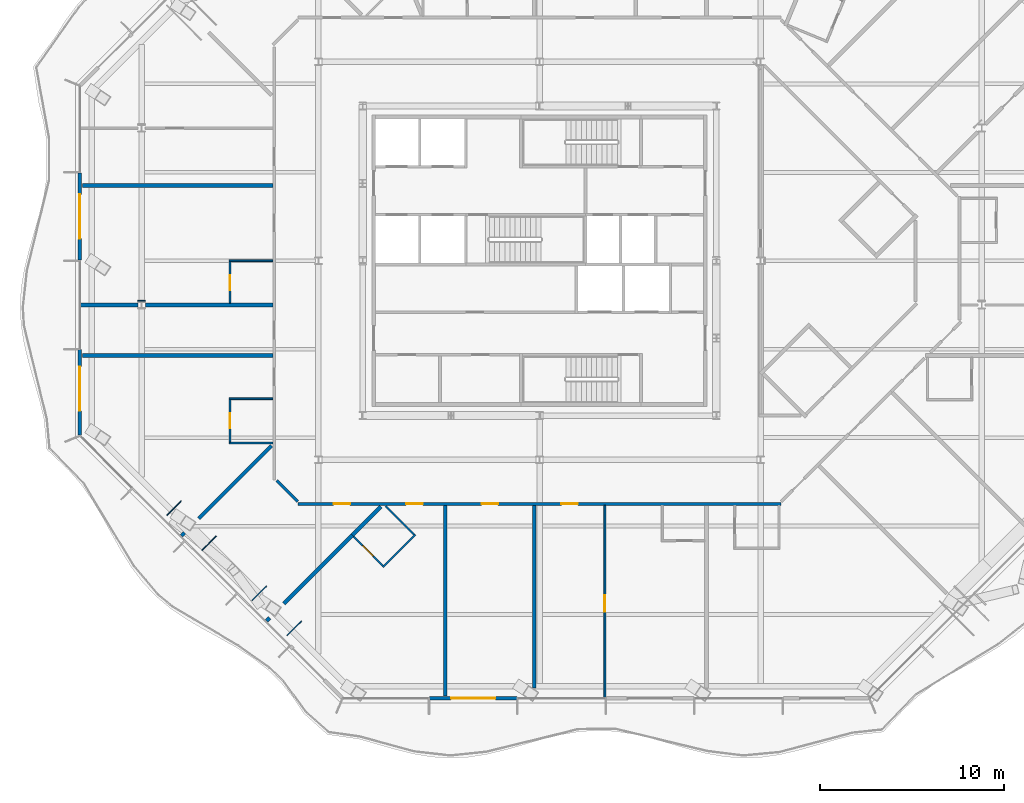
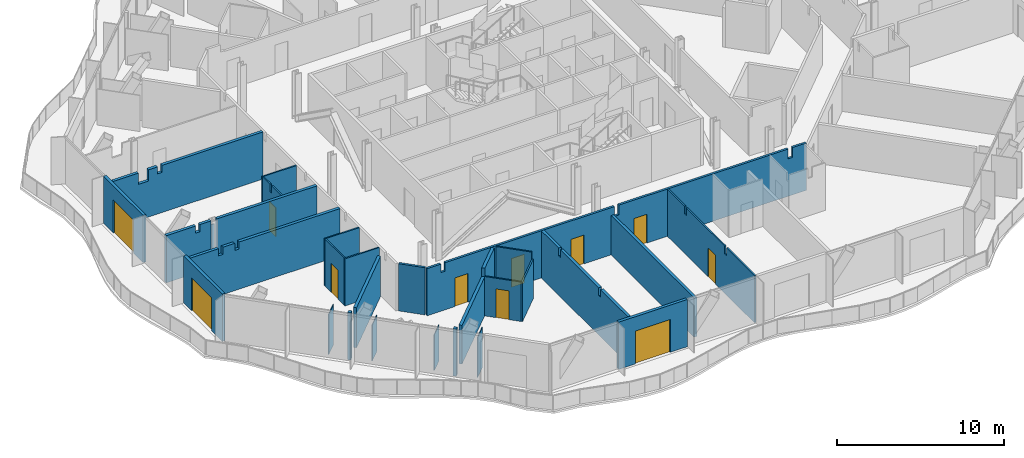
# One storey, part 7 of 19: 30 walls, 11 doors, 11 openings.
"""IFC4 building model written with IfcOpenShell, lengths in metres."""

from ifc_helpers import new_model, si_unit, direction, frame, frame_2d, origin, place, context, subcontext, project, spatial, polyline, rectangle, outline, extrude, material, layer, layer_set, type_object, element, fill, save


model = new_model("IFC4")

# Units and contexts
model_context = context("Model", 3, precision=1e-05, world=origin(), true_north=direction((0.0, 1.0)))
body_context = subcontext(model_context, "Body", "Model", "MODEL_VIEW")
ifc_project = project(units=[si_unit("LENGTHUNIT", "METRE"), si_unit("AREAUNIT", "SQUARE_METRE"), si_unit("VOLUMEUNIT", "CUBIC_METRE"), si_unit("PLANEANGLEUNIT", "RADIAN"), si_unit("MASSUNIT", "GRAM", prefix="KILO")], contexts=[model_context])

# Site, building, storey
site_placement = place(None, origin())
site = spatial("IfcSite", under=ifc_project, at=site_placement, CompositionType="ELEMENT")
building_placement = place(site_placement, origin())
building = spatial("IfcBuilding", under=site, at=building_placement, Name="Cairn Pilgrim Tower", CompositionType="ELEMENT")
storey_placement = place(building_placement, frame((0.0, 0.0, 186.60009765625)))
storey = spatial("IfcBuildingStorey", under=building, at=storey_placement, Name="L47", CompositionType="ELEMENT", Elevation=186.60009765625)

# Wall, opening, door
ifc_material_1 = material(Name="Bronze anodised aluminium insulated sandwich panel with mineral wool fill", Category="aluminium")
ifc_layer_1 = layer(ifc_material_1, 0.199951171875)
ifc_layer_set_1 = layer_set([ifc_layer_1], Name="BRONZE INFILL FRAME WALL 200")
wall_type_1 = type_object("IfcWallType", Name="BRONZE INFILL FRAME WALL 200", PredefinedType="NOTDEFINED", material=ifc_layer_set_1)
wall_1_placement = place(storey_placement, frame((1.22998046875, -21.35009765625, 0.0), z_axis=(0.0, 0.0, 1.0), x_axis=(1.0, 0.0, 0.0)))
wall_1 = element("IfcWall", 1, at=wall_1_placement, inside=storey, type_object=wall_type_1, Name="Bronze infill frame wall IW-S2", PredefinedType="NOTDEFINED", context=body_context, shape_type="SweptSolid", body=[
    extrude(rectangle(XDim=4.739990234375, YDim=0.199951171875, at=frame_2d((2.3701171875, 0.0))), origin(), (0.0, 0.0, 1.0), 3.449951171875),
])
opening_1_placement = place(wall_1_placement, frame((1.169677734375, 0.0, 0.0)))
opening_1 = element("IfcOpeningElement", 2, at=opening_1_placement, cuts=wall_1, Name="Opening 4721B", PredefinedType="OPENING", context=body_context, shape_type="SweptSolid", body=[
    extrude(rectangle(XDim=2.39990234375, YDim=2.39990234375, at=frame_2d((1.199951171875, 1.199951171875))), frame((0.0, 0.10986328125, 0.0), z_axis=(0.0, -1.0, 0.0), x_axis=(1.0, 0.0, 0.0)), (0.0, 0.0, 1.0), 0.219970703125),
])
ifc_material_2 = material(Name="Bronze anodised aluminium frame with tinted low-E glass", Category="aluminium")
door_type_1 = type_object("IfcDoorType", Name="BALCONY SLIDING DOOR 2400x2400", OperationType="DOUBLE_DOOR_SLIDING", PredefinedType="DOOR", material=ifc_material_2)
door_1_placement = place(opening_1_placement, origin())
door_1 = element("IfcDoor", 3, at=door_1_placement, inside=storey, type_object=door_type_1, Name="Balcony sliding door 4721B", OperationType="SINGLE_SWING_LEFT", OverallHeight=2.39990234375, OverallWidth=2.39990234375, PredefinedType="DOOR", context=body_context, shape_type="SweptSolid", body=[
    extrude(rectangle(XDim=2.39990234375, YDim=2.39990234375, at=frame_2d((1.199951171875, 1.199951171875))), frame((0.0, 0.02490234375, 0.0), z_axis=(0.0, -1.0, 0.0), x_axis=(1.0, 0.0, 0.0)), (0.0, 0.0, 1.0), 0.050048828125),
])
fill(opening_1, door_1)

wall_2_placement = place(storey_placement, frame((-17.75, 7.169921875, 0.0), z_axis=(0.0, 0.0, 1.0), x_axis=(0.0, -1.0, 0.0)))
wall_2 = element("IfcWall", 4, at=wall_2_placement, inside=storey, type_object=wall_type_1, Name="Bronze infill frame wall IW-W2", PredefinedType="NOTDEFINED", context=body_context, shape_type="SweptSolid", body=[
    extrude(rectangle(XDim=4.739990234375, YDim=0.199951171875, at=frame_2d((2.3701171875, 0.0))), origin(), (0.0, 0.0, 1.0), 3.449951171875),
])
opening_2_placement = place(wall_2_placement, frame((1.17041015625, 0.0, 0.0)))
opening_2 = element("IfcOpeningElement", 5, at=opening_2_placement, cuts=wall_2, Name="Opening 4716B", PredefinedType="OPENING", context=body_context, shape_type="SweptSolid", body=[
    extrude(rectangle(XDim=2.39990234375, YDim=2.39990234375, at=frame_2d((1.199951171875, 1.199951171875))), frame((0.0, 0.10986328125, 0.0), z_axis=(0.0, -1.0, 0.0), x_axis=(1.0, 0.0, 0.0)), (0.0, 0.0, 1.0), 0.219970703125),
])
door_2_placement = place(opening_2_placement, origin())
door_2 = element("IfcDoor", 6, at=door_2_placement, inside=storey, type_object=door_type_1, Name="Balcony sliding door 4716B", OperationType="SINGLE_SWING_LEFT", OverallHeight=2.39990234375, OverallWidth=2.39990234375, PredefinedType="DOOR", context=body_context, shape_type="SweptSolid", body=[
    extrude(rectangle(XDim=2.39990234375, YDim=2.39990234375, at=frame_2d((1.199951171875, 1.199951171875))), frame((0.0, 0.02490234375, 0.0), z_axis=(0.0, -1.0, 0.0), x_axis=(1.0, 0.0, 0.0)), (0.0, 0.0, 1.0), 0.050048828125),
])
fill(opening_2, door_2)

wall_3_placement = place(storey_placement, frame((-17.75, -2.429931640625, 0.0), z_axis=(0.0, 0.0, 1.0), x_axis=(0.0, -1.0, 0.0)))
wall_3 = element("IfcWall", 7, at=wall_3_placement, inside=storey, type_object=wall_type_1, Name="Bronze infill frame wall IW-W4", PredefinedType="NOTDEFINED", context=body_context, shape_type="SweptSolid", body=[
    extrude(rectangle(XDim=4.62646484375, YDim=0.199951171875, at=frame_2d((2.313232421875, 0.0))), origin(), (0.0, 0.0, 1.0), 3.449951171875),
])
opening_3_placement = place(wall_3_placement, frame((0.918701171875, 0.0, 0.0)))
opening_3 = element("IfcOpeningElement", 8, at=opening_3_placement, cuts=wall_3, Name="Opening 4718B", PredefinedType="OPENING", context=body_context, shape_type="SweptSolid", body=[
    extrude(rectangle(XDim=2.39990234375, YDim=2.39990234375, at=frame_2d((1.199951171875, 1.199951171875))), frame((0.0, 0.10986328125, 0.0), z_axis=(0.0, -1.0, 0.0), x_axis=(1.0, 0.0, 0.0)), (0.0, 0.0, 1.0), 0.219970703125),
])
door_3_placement = place(opening_3_placement, origin())
door_3 = element("IfcDoor", 9, at=door_3_placement, inside=storey, type_object=door_type_1, Name="Balcony sliding door 4718B", OperationType="SINGLE_SWING_LEFT", OverallHeight=2.39990234375, OverallWidth=2.39990234375, PredefinedType="DOOR", context=body_context, shape_type="SweptSolid", body=[
    extrude(rectangle(XDim=2.39990234375, YDim=2.39990234375, at=frame_2d((1.199951171875, 1.199951171875))), frame((0.0, 0.02490234375, 0.0), z_axis=(0.0, -1.0, 0.0), x_axis=(1.0, 0.0, 0.0)), (0.0, 0.0, 1.0), 0.050048828125),
])
fill(opening_3, door_3)

ifc_material_3 = material(Name="Gypsum partition")
ifc_layer_2 = layer(ifc_material_3, 0.10009765625)
ifc_layer_set_2 = layer_set([ifc_layer_2], Name="PARTITION 100 DRYWALL")
wall_type_2 = type_object("IfcWallType", Name="PARTITION 100 DRYWALL", PredefinedType="PARTITIONING", material=ifc_layer_set_2)
wall_4_placement = place(storey_placement, frame((10.74609375, -21.302978515625, 0.0), z_axis=(0.0, 0.0, 1.0), x_axis=(0.0, 1.0, 0.0)))
wall_4 = element("IfcWall", 10, at=wall_4_placement, inside=storey, type_object=wall_type_2, Name="PARTITION W001", PredefinedType="PARTITIONING", context=body_context, shape_type="SweptSolid", body=[
    extrude(outline(polyline([(0.0, 0.0), (10.427978515625, 0.0), (10.427978515625, 3.449951171875), (8.35791015625, 3.449951171875), (8.35595703125, 2.8798828125), (8.14794921875, 2.8798828125), (8.14599609375, 3.449951171875), (3.55810546875, 3.449951171875), (3.555908203125, 2.8798828125), (3.347900390625, 2.8798828125), (3.345947265625, 3.449951171875), (0.0, 3.449951171875), (0.0, 0.0)])), frame((0.0, 0.050048828125, 0.0), z_axis=(0.0, -1.0, 0.0), x_axis=(1.0, 0.0, 0.0)), (0.0, 0.0, 1.0), 0.10009765625),
])
opening_4_placement = place(wall_4_placement, frame((4.653076171875, 0.0, 0.0)))
opening_4 = element("IfcOpeningElement", 11, at=opening_4_placement, cuts=wall_4, Name="Opening 4722C", PredefinedType="OPENING", context=body_context, shape_type="SweptSolid", body=[
    extrude(rectangle(XDim=0.89990234375, YDim=2.10009765625, at=frame_2d((0.449951171875, 1.050048828125))), frame((0.0, 0.06005859375, 0.0), z_axis=(0.0, -1.0, 0.0), x_axis=(1.0, 0.0, 0.0)), (0.0, 0.0, 1.0), 0.1201171875),
])
ifc_material_4 = material(Name="Timber door leaf", Category="wood")
door_type_2 = type_object("IfcDoorType", Name="SERVICE DOOR 900x2100", OperationType="NOTDEFINED", PredefinedType="DOOR", material=ifc_material_4)
door_4_placement = place(opening_4_placement, origin())
door_4 = element("IfcDoor", 12, at=door_4_placement, inside=storey, type_object=door_type_2, Name="DOOR 4722C", OperationType="SINGLE_SWING_RIGHT", OverallHeight=2.10009765625, OverallWidth=0.89990234375, PredefinedType="DOOR", context=body_context, shape_type="SweptSolid", body=[
    extrude(rectangle(XDim=0.89990234375, YDim=2.10009765625, at=frame_2d((0.449951171875, 1.050048828125))), frame((0.0, 0.02490234375, 0.0), z_axis=(0.0, -1.0, 0.0), x_axis=(1.0, 0.0, 0.0)), (0.0, 0.0, 1.0), 0.050048828125),
])
fill(opening_4, door_4)

wall_5_placement = place(storey_placement, frame((-1.29833984375, -14.15869140625, 0.0), z_axis=(0.0, 0.0, 1.0), x_axis=(-0.707106781187, 0.707106781187, 0.0)))
wall_5 = element("IfcWall", 13, at=wall_5_placement, inside=storey, type_object=wall_type_2, Name="PARTITION W008", PredefinedType="PARTITIONING", context=body_context, shape_type="SweptSolid", body=[
    extrude(rectangle(XDim=2.25, YDim=0.10009765625, at=frame_2d((1.125, 0.0))), origin(), (0.0, 0.0, 1.0), 2.8798828125),
])
opening_5_placement = place(wall_5_placement, frame((0.75, 0.0, 0.0)))
opening_5 = element("IfcOpeningElement", 14, at=opening_5_placement, cuts=wall_5, Name="Opening 4720A", PredefinedType="OPENING", context=body_context, shape_type="SweptSolid", body=[
    extrude(rectangle(XDim=0.800048828125, YDim=2.10009765625, at=frame_2d((0.39990234375, 1.050048828125))), frame((0.0, 0.06005859375, 0.0), z_axis=(0.0, -1.0, 0.0), x_axis=(1.0, 0.0, 0.0)), (0.0, 0.0, 1.0), 0.1201171875),
])
door_type_3 = type_object("IfcDoorType", Name="WC DOOR 800x2100", OperationType="NOTDEFINED", PredefinedType="DOOR", material=ifc_material_4)
door_5_placement = place(opening_5_placement, origin())
door_5 = element("IfcDoor", 15, at=door_5_placement, inside=storey, type_object=door_type_3, Name="DOOR 4720A", OperationType="SINGLE_SWING_RIGHT", OverallHeight=2.10009765625, OverallWidth=0.800048828125, PredefinedType="DOOR", context=body_context, shape_type="SweptSolid", body=[
    extrude(rectangle(XDim=0.800048828125, YDim=2.10009765625, at=frame_2d((0.39990234375, 1.050048828125))), frame((0.0, 0.02490234375, 0.0), z_axis=(0.0, -1.0, 0.0), x_axis=(1.0, 0.0, 0.0)), (0.0, 0.0, 1.0), 0.050048828125),
])
fill(opening_5, door_5)

# Walls
wall_6_placement = place(storey_placement, frame((-1.29833984375, -14.2294921875, 0.0), z_axis=(0.0, 0.0, 1.0), x_axis=(0.707057949532, 0.707155609469, 0.0)))
element("IfcWall", 16, at=wall_6_placement, inside=storey, type_object=wall_type_2, Name="PARTITION W009", PredefinedType="PARTITIONING", context=body_context, shape_type="SweptSolid", body=[
    extrude(rectangle(XDim=2.5, YDim=0.10009765625, at=frame_2d((1.25, 0.0))), origin(), (0.0, 0.0, 1.0), 2.8798828125),
])
wall_7_placement = place(storey_placement, frame((0.398681640625, -12.461669921875, 0.0), z_axis=(0.0, 0.0, 1.0), x_axis=(-0.707106781187, 0.707106781187, 0.0)))
element("IfcWall", 17, at=wall_7_placement, inside=storey, type_object=wall_type_2, Name="PARTITION W017", PredefinedType="PARTITIONING", context=body_context, shape_type="SweptSolid", body=[
    extrude(rectangle(XDim=2.19384765625, YDim=0.10009765625, at=frame_2d((1.096923828125, 0.0))), origin(), (0.0, 0.0, 1.0), 3.449951171875),
])
wall_8_placement = place(storey_placement, frame((-9.64990234375, -7.488037109375, 0.0), z_axis=(0.0, 0.0, 1.0), x_axis=(1.0, 0.0, 0.0)))
element("IfcWall", 18, at=wall_8_placement, inside=storey, type_object=wall_type_2, Name="PARTITION W024", PredefinedType="PARTITIONING", context=body_context, shape_type="SweptSolid", body=[
    extrude(rectangle(XDim=2.375, YDim=0.10009765625, at=frame_2d((1.1875, 0.0))), origin(), (0.0, 0.0, 1.0), 3.449951171875),
])

# Wall, opening, door
wall_9_placement = place(storey_placement, frame((-9.60009765625, -7.43798828125, 0.0), z_axis=(0.0, 0.0, 1.0), x_axis=(0.0, 1.0, 0.0)))
wall_9 = element("IfcWall", 19, at=wall_9_placement, inside=storey, type_object=wall_type_2, Name="PARTITION W025", PredefinedType="PARTITIONING", context=body_context, shape_type="SweptSolid", body=[
    extrude(rectangle(XDim=2.300048828125, YDim=0.10009765625, at=frame_2d((1.14990234375, 0.0))), origin(), (0.0, 0.0, 1.0), 3.449951171875),
])
opening_6_placement = place(wall_9_placement, frame((0.75, 0.0, 0.0)))
opening_6 = element("IfcOpeningElement", 20, at=opening_6_placement, cuts=wall_9, Name="Opening 4718A", PredefinedType="OPENING", context=body_context, shape_type="SweptSolid", body=[
    extrude(rectangle(XDim=0.800048828125, YDim=2.10009765625, at=frame_2d((0.39990234375, 1.050048828125))), frame((0.0, 0.06005859375, 0.0), z_axis=(0.0, -1.0, 0.0), x_axis=(1.0, 0.0, 0.0)), (0.0, 0.0, 1.0), 0.1201171875),
])
door_6_placement = place(opening_6_placement, origin())
door_6 = element("IfcDoor", 21, at=door_6_placement, inside=storey, type_object=door_type_3, Name="DOOR 4718A", OperationType="SINGLE_SWING_LEFT", OverallHeight=2.10009765625, OverallWidth=0.800048828125, PredefinedType="DOOR", context=body_context, shape_type="SweptSolid", body=[
    extrude(rectangle(XDim=0.800048828125, YDim=2.10009765625, at=frame_2d((0.39990234375, 1.050048828125))), frame((0.0, 0.02490234375, 0.0), z_axis=(0.0, -1.0, 0.0), x_axis=(1.0, 0.0, 0.0)), (0.0, 0.0, 1.0), 0.050048828125),
])
fill(opening_6, door_6)

# Wall
wall_10_placement = place(storey_placement, frame((-9.64990234375, -5.087890625, 0.0), z_axis=(0.0, 0.0, 1.0), x_axis=(1.0, 0.0, 0.0)))
element("IfcWall", 22, at=wall_10_placement, inside=storey, type_object=wall_type_2, Name="PARTITION W030", PredefinedType="PARTITIONING", context=body_context, shape_type="SweptSolid", body=[
    extrude(rectangle(XDim=2.375, YDim=0.10009765625, at=frame_2d((1.1875, 0.0))), origin(), (0.0, 0.0, 1.0), 3.449951171875),
])

# Wall, opening, door
wall_11_placement = place(storey_placement, frame((-9.60009765625, 0.10009765625, 0.0), z_axis=(0.0, 0.0, 1.0), x_axis=(0.0, 1.0, 0.0)))
wall_11 = element("IfcWall", 23, at=wall_11_placement, inside=storey, type_object=wall_type_2, Name="PARTITION W045", PredefinedType="PARTITIONING", context=body_context, shape_type="SweptSolid", body=[
    extrude(outline(polyline([(0.0, 0.0), (2.25, 0.0), (2.25, 3.449951171875), (1.35009765625, 3.449951171875), (1.347900390625, 2.929931640625), (1.14990234375, 2.929931640625), (1.14794921875, 3.449951171875), (0.0, 3.449951171875), (0.0, 0.0)])), frame((0.0, 0.050048828125, 0.0), z_axis=(0.0, -1.0, 0.0), x_axis=(1.0, 0.0, 0.0)), (0.0, 0.0, 1.0), 0.10009765625),
])
opening_7_placement = place(wall_11_placement, frame((0.699951171875, 0.0, 0.0)))
opening_7 = element("IfcOpeningElement", 24, at=opening_7_placement, cuts=wall_11, Name="Opening 4716A", PredefinedType="OPENING", context=body_context, shape_type="SweptSolid", body=[
    extrude(rectangle(XDim=0.800048828125, YDim=2.10009765625, at=frame_2d((0.39990234375, 1.050048828125))), frame((0.0, 0.06005859375, 0.0), z_axis=(0.0, -1.0, 0.0), x_axis=(1.0, 0.0, 0.0)), (0.0, 0.0, 1.0), 0.1201171875),
])
door_7_placement = place(opening_7_placement, origin())
door_7 = element("IfcDoor", 25, at=door_7_placement, inside=storey, type_object=door_type_3, Name="DOOR 4716A", OperationType="SINGLE_SWING_LEFT", OverallHeight=2.10009765625, OverallWidth=0.800048828125, PredefinedType="DOOR", context=body_context, shape_type="SweptSolid", body=[
    extrude(rectangle(XDim=0.800048828125, YDim=2.10009765625, at=frame_2d((0.39990234375, 1.050048828125))), frame((0.0, 0.02490234375, 0.0), z_axis=(0.0, -1.0, 0.0), x_axis=(1.0, 0.0, 0.0)), (0.0, 0.0, 1.0), 0.050048828125),
])
fill(opening_7, door_7)

# Wall
wall_12_placement = place(storey_placement, frame((-9.64990234375, 2.39990234375, 0.0), z_axis=(0.0, 0.0, 1.0), x_axis=(1.0, 0.0, 0.0)))
element("IfcWall", 26, at=wall_12_placement, inside=storey, type_object=wall_type_2, Name="PARTITION W047", PredefinedType="PARTITIONING", context=body_context, shape_type="SweptSolid", body=[
    extrude(rectangle(XDim=2.375, YDim=0.10009765625, at=frame_2d((1.1875, 0.0))), origin(), (0.0, 0.0, 1.0), 3.449951171875),
])

# Wall, openings, doors
ifc_layer_3 = layer(ifc_material_3, 0.14990234375)
ifc_layer_set_3 = layer_set([ifc_layer_3], Name="PARTITION 150 DRYWALL EI 60")
wall_type_3 = type_object("IfcWallType", Name="PARTITION 150 DRYWALL EI 60", PredefinedType="PARTITIONING", material=ifc_layer_set_3)
wall_13_placement = place(storey_placement, frame((-5.900146484375, -10.800048828125, 0.0), z_axis=(0.0, 0.0, 1.0), x_axis=(1.0, 0.0, 0.0)))
wall_13 = element("IfcWall", 27, at=wall_13_placement, inside=storey, type_object=wall_type_3, Name="PARTITION W020", PredefinedType="PARTITIONING", context=body_context, shape_type="SweptSolid", body=[
    extrude(outline(polyline([(0.0, 0.0), (26.2001953125, 0.0), (26.2001953125, 3.449951171875), (25.25, 3.449951171875), (25.248046875, 2.72998046875), (24.9501953125, 2.72998046875), (24.947998046875, 3.449951171875), (13.25, 3.449951171875), (13.248046875, 2.72998046875), (12.9501953125, 2.72998046875), (12.947998046875, 3.449951171875), (1.25, 3.449951171875), (1.248046875, 2.829833984375), (0.9501953125, 2.829833984375), (0.947998046875, 3.449951171875), (0.0, 3.449951171875), (0.0, 0.0)])), frame((0.0, 0.074951171875, 0.0), z_axis=(0.0, -1.0, 0.0), x_axis=(1.0, 0.0, 0.0)), (0.0, 0.0, 1.0), 0.14990234375),
])
opening_8_placement = place(wall_13_placement, frame((1.922119140625, 0.0, 0.0)))
opening_8 = element("IfcOpeningElement", 28, at=opening_8_placement, cuts=wall_13, Name="Opening 4719", PredefinedType="OPENING", context=body_context, shape_type="SweptSolid", body=[
    extrude(rectangle(XDim=0.89990234375, YDim=2.10009765625, at=frame_2d((0.449951171875, 1.050048828125))), frame((0.0, 0.0849609375, 0.0), z_axis=(0.0, -1.0, 0.0), x_axis=(1.0, 0.0, 0.0)), (0.0, 0.0, 1.0), 0.169921875),
])
opening_9_placement = place(wall_13_placement, frame((5.863037109375, 0.0, 0.0)))
opening_9 = element("IfcOpeningElement", 29, at=opening_9_placement, cuts=wall_13, Name="Opening 4720", PredefinedType="OPENING", context=body_context, shape_type="SweptSolid", body=[
    extrude(rectangle(XDim=0.89990234375, YDim=2.10009765625, at=frame_2d((0.449951171875, 1.050048828125))), frame((0.0, 0.0849609375, 0.0), z_axis=(0.0, -1.0, 0.0), x_axis=(1.0, 0.0, 0.0)), (0.0, 0.0, 1.0), 0.169921875),
])
opening_10_placement = place(wall_13_placement, frame((9.949951171875, 0.0, 0.0)))
opening_10 = element("IfcOpeningElement", 30, at=opening_10_placement, cuts=wall_13, Name="Opening 4721", PredefinedType="OPENING", context=body_context, shape_type="SweptSolid", body=[
    extrude(rectangle(XDim=0.89990234375, YDim=2.10009765625, at=frame_2d((0.449951171875, 1.050048828125))), frame((0.0, 0.0849609375, 0.0), z_axis=(0.0, -1.0, 0.0), x_axis=(1.0, 0.0, 0.0)), (0.0, 0.0, 1.0), 0.169921875),
])
opening_11_placement = place(wall_13_placement, frame((14.279052734375, 0.0, 0.0)))
opening_11 = element("IfcOpeningElement", 31, at=opening_11_placement, cuts=wall_13, Name="Opening 4722", PredefinedType="OPENING", context=body_context, shape_type="SweptSolid", body=[
    extrude(rectangle(XDim=0.89990234375, YDim=2.10009765625, at=frame_2d((0.449951171875, 1.050048828125))), frame((0.0, 0.0849609375, 0.0), z_axis=(0.0, -1.0, 0.0), x_axis=(1.0, 0.0, 0.0)), (0.0, 0.0, 1.0), 0.169921875),
])
door_type_4 = type_object("IfcDoorType", Name="ROOM DOOR 900x2100 FD30S", OperationType="NOTDEFINED", PredefinedType="DOOR", material=ifc_material_4)
door_8_placement = place(opening_9_placement, frame((0.89990234375, 0.0, 0.0), z_axis=(0.0, 0.0, 1.0), x_axis=(-1.0, 0.0, 0.0)))
door_8 = element("IfcDoor", 32, at=door_8_placement, inside=storey, type_object=door_type_4, Name="DOOR 4720", OperationType="SINGLE_SWING_RIGHT", OverallHeight=2.10009765625, OverallWidth=0.89990234375, PredefinedType="DOOR", context=body_context, shape_type="SweptSolid", body=[
    extrude(rectangle(XDim=0.89990234375, YDim=2.10009765625, at=frame_2d((0.449951171875, 1.050048828125))), frame((0.0, 0.02490234375, 0.0), z_axis=(0.0, -1.0, 0.0), x_axis=(1.0, 0.0, 0.0)), (0.0, 0.0, 1.0), 0.050048828125),
])
fill(opening_9, door_8)
door_9_placement = place(opening_11_placement, frame((0.89990234375, 0.0, 0.0), z_axis=(0.0, 0.0, 1.0), x_axis=(-1.0, 0.0, 0.0)))
door_9 = element("IfcDoor", 33, at=door_9_placement, inside=storey, type_object=door_type_4, Name="DOOR 4722", OperationType="SINGLE_SWING_RIGHT", OverallHeight=2.10009765625, OverallWidth=0.89990234375, PredefinedType="DOOR", context=body_context, shape_type="SweptSolid", body=[
    extrude(rectangle(XDim=0.89990234375, YDim=2.10009765625, at=frame_2d((0.449951171875, 1.050048828125))), frame((0.0, 0.02490234375, 0.0), z_axis=(0.0, -1.0, 0.0), x_axis=(1.0, 0.0, 0.0)), (0.0, 0.0, 1.0), 0.050048828125),
])
fill(opening_11, door_9)
door_type_5 = type_object("IfcDoorType", Name="SERVICE DOOR 900x2100 FD30S", OperationType="NOTDEFINED", PredefinedType="DOOR", material=ifc_material_4)
door_10_placement = place(opening_8_placement, frame((0.89990234375, 0.0, 0.0), z_axis=(0.0, 0.0, 1.0), x_axis=(-1.0, 0.0, 0.0)))
door_10 = element("IfcDoor", 34, at=door_10_placement, inside=storey, type_object=door_type_5, Name="DOOR 4719", OperationType="SINGLE_SWING_LEFT", OverallHeight=2.10009765625, OverallWidth=0.89990234375, PredefinedType="DOOR", context=body_context, shape_type="SweptSolid", body=[
    extrude(rectangle(XDim=0.89990234375, YDim=2.10009765625, at=frame_2d((0.449951171875, 1.050048828125))), frame((0.0, 0.02490234375, 0.0), z_axis=(0.0, -1.0, 0.0), x_axis=(1.0, 0.0, 0.0)), (0.0, 0.0, 1.0), 0.050048828125),
])
fill(opening_8, door_10)
door_11_placement = place(opening_10_placement, frame((0.89990234375, 0.0, 0.0), z_axis=(0.0, 0.0, 1.0), x_axis=(-1.0, 0.0, 0.0)))
door_11 = element("IfcDoor", 35, at=door_11_placement, inside=storey, type_object=door_type_5, Name="DOOR 4721", OperationType="SINGLE_SWING_RIGHT", OverallHeight=2.10009765625, OverallWidth=0.89990234375, PredefinedType="DOOR", context=body_context, shape_type="SweptSolid", body=[
    extrude(rectangle(XDim=0.89990234375, YDim=2.10009765625, at=frame_2d((0.449951171875, 1.050048828125))), frame((0.0, 0.02490234375, 0.0), z_axis=(0.0, -1.0, 0.0), x_axis=(1.0, 0.0, 0.0)), (0.0, 0.0, 1.0), 0.050048828125),
])
fill(opening_10, door_11)

# Walls
wall_14_placement = place(storey_placement, frame((-5.922119140625, -10.672119140625, 0.0), z_axis=(0.0, 0.0, 1.0), x_axis=(-0.707031720757, 0.707181833649, 0.0)))
element("IfcWall", 36, at=wall_14_placement, inside=storey, type_object=wall_type_3, Name="PARTITION W021", PredefinedType="PARTITIONING", context=body_context, shape_type="SweptSolid", body=[
    extrude(rectangle(XDim=1.62646484375, YDim=0.14990234375, at=frame_2d((0.813232421875, 0.0))), origin(), (0.0, 0.0, 1.0), 3.449951171875),
])
ifc_layer_4 = layer(ifc_material_3, 0.050048828125)
ifc_layer_set_4 = layer_set([ifc_layer_4], Name="PARTITION 50 DRYWALL EI 60")
wall_type_4 = type_object("IfcWallType", Name="PARTITION 50 DRYWALL EI 60", PredefinedType="PARTITIONING", material=ifc_layer_set_4)
wall_15_placement = place(storey_placement, frame((-6.5, -17.937744140625, 0.0), z_axis=(0.0, 0.0, 1.0), x_axis=(0.707106781187, 0.707106781187, 0.0)))
element("IfcWall", 37, at=wall_15_placement, inside=storey, type_object=wall_type_4, Name="COLUMN CASING WC01", PredefinedType="PARTITIONING", context=body_context, shape_type="SweptSolid", body=[
    extrude(rectangle(XDim=1.0927734375, YDim=0.050048828125, at=frame_2d((0.54638671875, 0.0))), origin(), (0.0, 0.0, 1.0), 2.929931640625),
])
wall_16_placement = place(storey_placement, frame((-8.40087890625, -16.036376953125, 0.0), z_axis=(0.0, 0.0, 1.0), x_axis=(0.707106781187, 0.707106781187, 0.0)))
element("IfcWall", 38, at=wall_16_placement, inside=storey, type_object=wall_type_4, Name="COLUMN CASING WC02", PredefinedType="PARTITIONING", context=body_context, shape_type="SweptSolid", body=[
    extrude(rectangle(XDim=1.0927734375, YDim=0.050048828125, at=frame_2d((0.54638671875, 0.0))), origin(), (0.0, 0.0, 1.0), 2.6298828125),
])
wall_17_placement = place(storey_placement, frame((-13.02490234375, -11.412109375, 0.0), z_axis=(0.0, 0.0, 1.0), x_axis=(0.707106781187, 0.707106781187, 0.0)))
element("IfcWall", 39, at=wall_17_placement, inside=storey, type_object=wall_type_4, Name="COLUMN CASING WC05", PredefinedType="PARTITIONING", context=body_context, shape_type="SweptSolid", body=[
    extrude(rectangle(XDim=1.092529296875, YDim=0.050048828125, at=frame_2d((0.54638671875, 0.0))), origin(), (0.0, 0.0, 1.0), 2.929931640625),
])
wall_18_placement = place(storey_placement, frame((-11.123779296875, -13.313232421875, 0.0), z_axis=(0.0, 0.0, 1.0), x_axis=(0.707106781187, 0.707106781187, 0.0)))
element("IfcWall", 40, at=wall_18_placement, inside=storey, type_object=wall_type_4, Name="COLUMN CASING WC06", PredefinedType="PARTITIONING", context=body_context, shape_type="SweptSolid", body=[
    extrude(rectangle(XDim=1.092529296875, YDim=0.050048828125, at=frame_2d((0.54638671875, 0.0))), origin(), (0.0, 0.0, 1.0), 2.6298828125),
])
wall_19_placement = place(storey_placement, frame((-14.599609375, 0.221435546875, 0.0), z_axis=(0.0, 0.0, 1.0), x_axis=(1.0, 0.0, 0.0)))
element("IfcWall", 41, at=wall_19_placement, inside=storey, type_object=wall_type_4, Name="COLUMN CASING WC09", PredefinedType="PARTITIONING", context=body_context, shape_type="SweptSolid", body=[
    extrude(rectangle(XDim=0.399169921875, YDim=0.050048828125, at=frame_2d((0.19970703125, 0.0))), origin(), (0.0, 0.0, 1.0), 2.929931640625),
])
ifc_layer_5 = layer(ifc_material_3, 0.199951171875)
ifc_layer_set_5 = layer_set([ifc_layer_5], Name="SHAFT WALL 200 GYPSUM EI 60")
wall_type_5 = type_object("IfcWallType", Name="SHAFT WALL 200 GYPSUM EI 60", PredefinedType="PARTITIONING", material=ifc_layer_set_5)
wall_20_placement = place(storey_placement, frame((2.089111328125, -21.219970703125, 0.0), z_axis=(0.0, 0.0, 1.0), x_axis=(0.0, 1.0, 0.0)))
element("IfcWall", 42, at=wall_20_placement, inside=storey, type_object=wall_type_5, Name="PARTITION W002", PredefinedType="PARTITIONING", context=body_context, shape_type="SweptSolid", body=[
    extrude(outline(polyline([(0.0, 0.0), (10.344970703125, 0.0), (10.344970703125, 3.449951171875), (8.27490234375, 3.449951171875), (8.27294921875, 2.8798828125), (8.06494140625, 2.8798828125), (8.06298828125, 3.449951171875), (3.47509765625, 3.449951171875), (3.472900390625, 2.8798828125), (3.264892578125, 2.8798828125), (3.262939453125, 3.449951171875), (0.0, 3.449951171875), (0.0, 0.0)])), frame((0.0, 0.10009765625, 0.0), z_axis=(0.0, -1.0, 0.0), x_axis=(1.0, 0.0, 0.0)), (0.0, 0.0, 1.0), 0.199951171875),
])
wall_21_placement = place(storey_placement, frame((6.912109375, -20.80908203125, 0.0), z_axis=(0.0, 0.0, 1.0), x_axis=(0.0, 1.0, 0.0)))
element("IfcWall", 43, at=wall_21_placement, inside=storey, type_object=wall_type_5, Name="PARTITION W003", PredefinedType="PARTITIONING", context=body_context, shape_type="SweptSolid", body=[
    extrude(outline(polyline([(0.01123046875, 0.0), (9.93408203125, 0.0), (9.93408203125, 0.8623046875), (9.93408203125, 1.724853515625), (9.93408203125, 2.58740234375), (9.93408203125, 2.8798828125), (0.0, 2.8798828125), (0.0, 2.58740234375), (0.0, 1.724853515625), (0.01123046875, 0.8623046875), (0.01123046875, 0.0)])), frame((0.0, 0.10009765625, 0.0), z_axis=(0.0, -1.0, 0.0), x_axis=(1.0, 0.0, 0.0)), (0.0, 0.0, 1.0), 0.199951171875),
])
wall_22_placement = place(storey_placement, frame((-7.61279296875, -17.148681640625, 0.0), z_axis=(0.0, 0.0, 1.0), x_axis=(0.707639441435, 0.706573719385, 0.0)))
element("IfcWall", 44, at=wall_22_placement, inside=storey, type_object=wall_type_5, Name="PARTITION W005", PredefinedType="PARTITIONING", context=body_context, shape_type="SweptSolid", body=[
    extrude(rectangle(XDim=0.22900390625, YDim=0.199951171875, at=frame_2d((0.114501953125, 0.0))), origin(), (0.0, 0.0, 1.0), 3.449951171875),
])
wall_23_placement = place(storey_placement, frame((-6.677978515625, -16.214111328125, 0.0), z_axis=(0.0, 0.0, 1.0), x_axis=(0.707199650476, 0.707013899698, 0.0)))
element("IfcWall", 45, at=wall_23_placement, inside=storey, type_object=wall_type_5, Name="PARTITION W006", PredefinedType="PARTITIONING", context=body_context, shape_type="SweptSolid", body=[
    extrude(rectangle(XDim=5.25732421875, YDim=0.199951171875, at=frame_2d((2.628662109375, 0.0))), origin(), (0.0, 0.0, 1.0), 2.829833984375),
])
wall_24_placement = place(storey_placement, frame((-12.23681640625, -12.52490234375, 0.0), z_axis=(0.0, 0.0, 1.0), x_axis=(0.706574521886, 0.707638640142, 0.0)))
element("IfcWall", 46, at=wall_24_placement, inside=storey, type_object=wall_type_5, Name="PARTITION W015", PredefinedType="PARTITIONING", context=body_context, shape_type="SweptSolid", body=[
    extrude(rectangle(XDim=0.2294921875, YDim=0.199951171875, at=frame_2d((0.11474609375, 0.0))), origin(), (0.0, 0.0, 1.0), 3.449951171875),
])
wall_25_placement = place(storey_placement, frame((-2.9599609375, -12.4970703125, 0.0), z_axis=(0.0, 0.0, 1.0), x_axis=(0.707106781187, 0.707106781187, 0.0)))
element("IfcWall", 47, at=wall_25_placement, inside=storey, type_object=wall_type_5, Name="PARTITION W016", PredefinedType="PARTITIONING", context=body_context, shape_type="SweptSolid", body=[
    extrude(rectangle(XDim=2.19384765625, YDim=0.199951171875, at=frame_2d((1.096923828125, 0.0))), origin(), (0.0, 0.0, 1.0), 3.449951171875),
])
wall_26_placement = place(storey_placement, frame((-11.302001953125, -11.590087890625, 0.0), z_axis=(0.0, 0.0, 1.0), x_axis=(0.707106781187, 0.707106781187, 0.0)))
element("IfcWall", 48, at=wall_26_placement, inside=storey, type_object=wall_type_5, Name="PARTITION W019", PredefinedType="PARTITIONING", context=body_context, shape_type="SweptSolid", body=[
    extrude(rectangle(XDim=5.594970703125, YDim=0.199951171875, at=frame_2d((2.79736328125, 0.0))), origin(), (0.0, 0.0, 1.0), 2.929931640625),
])
wall_27_placement = place(storey_placement, frame((-17.6201171875, -2.739013671875, 0.0), z_axis=(0.0, 0.0, 1.0), x_axis=(1.0, 0.0, 0.0)))
element("IfcWall", 49, at=wall_27_placement, inside=storey, type_object=wall_type_5, Name="PARTITION W037", PredefinedType="PARTITIONING", context=body_context, shape_type="SweptSolid", body=[
    extrude(outline(polyline([(0.0, 0.0), (10.34521484375, 0.0), (10.344970703125, 3.449951171875), (3.3701171875, 3.449951171875), (3.367919921875, 2.929931640625), (3.070068359375, 2.929931640625), (3.068115234375, 3.449951171875), (2.2451171875, 3.449951171875), (2.242919921875, 2.929931640625), (1.945068359375, 2.929931640625), (1.943115234375, 3.449951171875), (0.0, 3.449951171875), (0.0, 0.0)])), frame((0.0, 0.10009765625, 0.0), z_axis=(0.0, -1.0, 0.0), x_axis=(1.0, 0.0, 0.0)), (0.0, 0.0, 1.0), 0.199951171875),
])
wall_28_placement = place(storey_placement, frame((-17.702880859375, 0.0, 0.0), z_axis=(0.0, 0.0, 1.0), x_axis=(1.0, 0.0, 0.0)))
element("IfcWall", 50, at=wall_28_placement, inside=storey, type_object=wall_type_5, Name="PARTITION W041", PredefinedType="PARTITIONING", context=body_context, shape_type="SweptSolid", body=[
    extrude(outline(polyline([(0.0, 0.0), (3.103271484375, 0.0), (3.103515625, 3.449951171875), (2.327880859375, 3.449951171875), (2.325927734375, 2.929931640625), (2.028076171875, 2.929931640625), (2.02587890625, 3.449951171875), (0.0, 3.449951171875), (0.0, 0.0)])), frame((0.0, 0.10009765625, 0.0), z_axis=(0.0, -1.0, 0.0), x_axis=(1.0, 0.0, 0.0)), (0.0, 0.0, 1.0), 0.199951171875),
])
wall_29_placement = place(storey_placement, frame((-14.200439453125, 0.0, 0.0), z_axis=(0.0, 0.0, 1.0), x_axis=(1.0, 0.0, 0.0)))
element("IfcWall", 51, at=wall_29_placement, inside=storey, type_object=wall_type_5, Name="PARTITION W042", PredefinedType="PARTITIONING", context=body_context, shape_type="SweptSolid", body=[
    extrude(rectangle(XDim=6.925537109375, YDim=0.199951171875, at=frame_2d((3.462890625, 0.0))), origin(), (0.0, 0.0, 1.0), 3.449951171875),
])
wall_30_placement = place(storey_placement, frame((-17.6201171875, 6.489013671875, 0.0), z_axis=(0.0, 0.0, 1.0), x_axis=(1.0, 0.0, 0.0)))
element("IfcWall", 52, at=wall_30_placement, inside=storey, type_object=wall_type_5, Name="PARTITION W057", PredefinedType="PARTITIONING", context=body_context, shape_type="SweptSolid", body=[
    extrude(outline(polyline([(0.0, 0.0), (10.34521484375, 0.0), (10.344970703125, 3.449951171875), (3.3701171875, 3.449951171875), (3.367919921875, 2.929931640625), (3.070068359375, 2.929931640625), (3.068115234375, 3.449951171875), (2.445068359375, 3.449951171875), (2.443115234375, 2.6298828125), (1.7451171875, 2.6298828125), (1.742919921875, 3.449951171875), (0.0, 3.449951171875), (0.0, 0.0)])), frame((0.0, 0.10009765625, 0.0), z_axis=(0.0, -1.0, 0.0), x_axis=(1.0, 0.0, 0.0)), (0.0, 0.0, 1.0), 0.199951171875),
])

save(model, "model.ifc")
